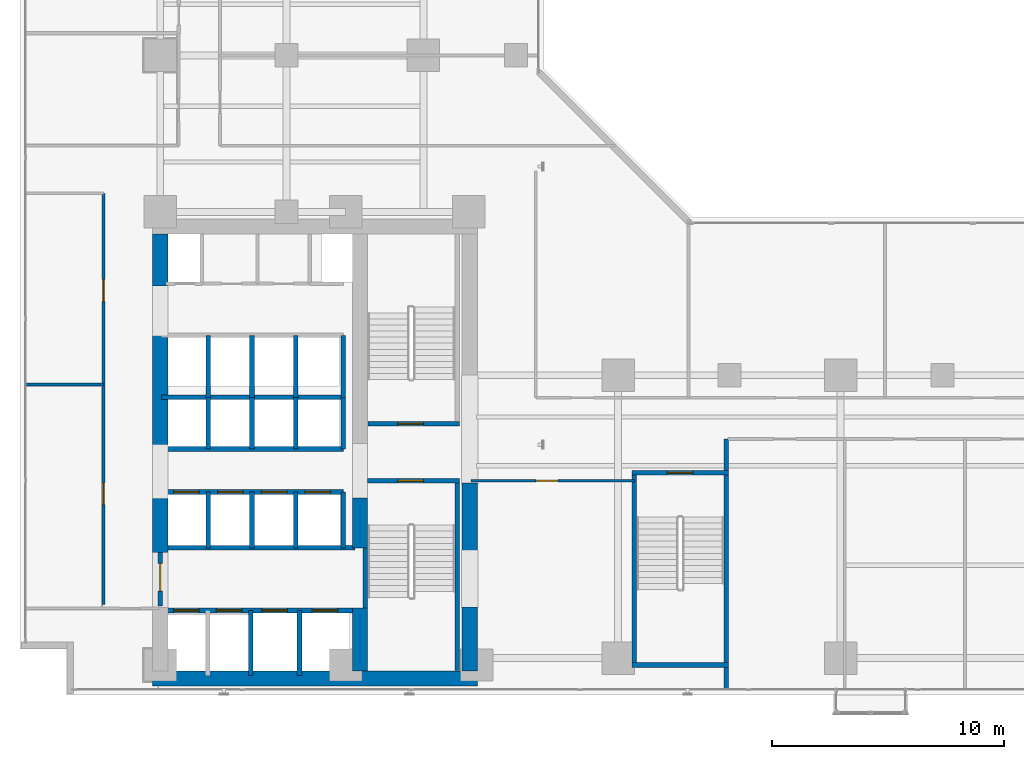
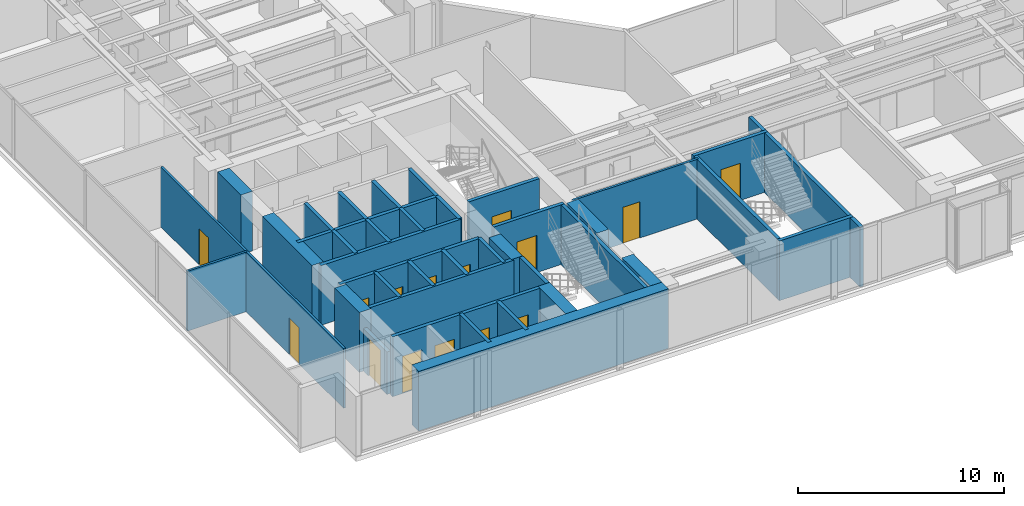
# One storey, part 20 of 28: 39 walls, 15 doors, 15 openings.
"""IFC4 building model written with IfcOpenShell, lengths in metres."""

from ifc_helpers import new_model, si_unit, direction, frame, frame_2d, origin, place, context, subcontext, project, spatial, rectangle, extrude, material, layer, layer_set, type_object, element, fill, save


model = new_model("IFC4")

# Units and contexts
model_context = context("Model", 3, precision=1e-05, world=origin(), true_north=direction((0.0, 1.0)))
body_context = subcontext(model_context, "Body", "Model", "MODEL_VIEW")
ifc_project = project(units=[si_unit("LENGTHUNIT", "METRE"), si_unit("AREAUNIT", "SQUARE_METRE"), si_unit("VOLUMEUNIT", "CUBIC_METRE"), si_unit("PLANEANGLEUNIT", "RADIAN"), si_unit("MASSUNIT", "GRAM", prefix="KILO")], contexts=[model_context])

# Site, building, storey
site_placement = place(None, origin())
site = spatial("IfcSite", under=ifc_project, at=site_placement, CompositionType="ELEMENT")
building_placement = place(site_placement, origin())
building = spatial("IfcBuilding", under=site, at=building_placement, Name="Kolvaren Waterfront Exchange", CompositionType="ELEMENT")
storey_placement = place(building_placement, frame((0.0, 0.0, 103.10009765625)))
storey = spatial("IfcBuildingStorey", under=building, at=storey_placement, Name="L26", CompositionType="ELEMENT", Elevation=103.10009765625)

# Wall, opening, door
ifc_material_1 = material(Name="Precast concrete C40/50", Category="concrete")
ifc_layer_1 = layer(ifc_material_1, 0.199951171875, Name="Precast concrete C40/50")
ifc_layer_set_1 = layer_set([ifc_layer_1], Name="Precast concrete C40/50")
wall_type_1 = type_object("IfcWallType", Name="ARC-FIRE-200", PredefinedType="PARTITIONING", material=ifc_layer_set_1)
wall_1_placement = place(storey_placement, frame((16.39990234375, 12.85009765625, 0.0), z_axis=(0.0, 0.0, 1.0), x_axis=(1.0, 0.0, 0.0)))
wall_1 = element("IfcWall", 1, at=wall_1_placement, inside=storey, type_object=wall_type_1, Name="L26 interior wall PW-L26-ST1-THROAT-S", PredefinedType="PARTITIONING", context=body_context, shape_type="SweptSolid", body=[
    extrude(rectangle(XDim=3.960205078125, YDim=0.199951171875, at=frame_2d((1.97998046875, 0.0))), origin(), (0.0, 0.0, 1.0), 3.539794921875),
])
opening_1_placement = place(wall_1_placement, frame((1.3037109375, 0.0, 0.0)))
opening_1 = element("IfcOpeningElement", 2, at=opening_1_placement, cuts=wall_1, Name="Opening FD2", PredefinedType="OPENING", context=body_context, shape_type="SweptSolid", body=[
    extrude(rectangle(XDim=1.10009765625, YDim=2.199951171875, at=frame_2d((0.550048828125, 1.10009765625))), frame((0.0, 0.10986328125, 0.0), z_axis=(0.0, -1.0, 0.0), x_axis=(1.0, 0.0, 0.0)), (0.0, 0.0, 1.0), 0.219970703125),
])
ifc_material_2 = material(Name="Pressed steel smoke-seal fire door", Category="steel")
door_type_1 = type_object("IfcDoorType", Name="ARC-FD-1100", OperationType="NOTDEFINED", PredefinedType="DOOR", material=ifc_material_2)
door_1_placement = place(opening_1_placement, frame((1.10009765625, 0.0, 0.0), z_axis=(0.0, 0.0, 1.0), x_axis=(-1.0, 0.0, 0.0)))
door_1 = element("IfcDoor", 3, at=door_1_placement, inside=storey, type_object=door_type_1, Name="L26 door DR-L26-ST1-IN (FD2)", OperationType="SINGLE_SWING_LEFT", OverallHeight=2.199951171875, OverallWidth=1.10009765625, PredefinedType="DOOR", context=body_context, shape_type="SweptSolid", body=[
    extrude(rectangle(XDim=1.10009765625, YDim=2.199951171875, at=frame_2d((0.550048828125, 1.10009765625))), frame((0.0, 0.02490234375, 0.0), z_axis=(0.0, -1.0, 0.0), x_axis=(1.0, 0.0, 0.0)), (0.0, 0.0, 1.0), 0.050048828125),
])
fill(opening_1, door_1)

wall_2_placement = place(storey_placement, frame((16.409912109375, 15.300048828125, 0.0), z_axis=(0.0, 0.0, 1.0), x_axis=(1.0, 0.0, 0.0)))
wall_2 = element("IfcWall", 4, at=wall_2_placement, inside=storey, type_object=wall_type_1, Name="L26 interior wall PW-L26-ST2-THROAT-N", PredefinedType="PARTITIONING", context=body_context, shape_type="SweptSolid", body=[
    extrude(rectangle(XDim=3.9501953125, YDim=0.199951171875, at=frame_2d((1.97509765625, 0.0))), origin(), (0.0, 0.0, 1.0), 3.539794921875),
])
opening_2_placement = place(wall_2_placement, frame((1.293701171875, 0.0, 0.0)))
opening_2 = element("IfcOpeningElement", 5, at=opening_2_placement, cuts=wall_2, Name="Opening FD2", PredefinedType="OPENING", context=body_context, shape_type="SweptSolid", body=[
    extrude(rectangle(XDim=1.10009765625, YDim=2.199951171875, at=frame_2d((0.550048828125, 1.10009765625))), frame((0.0, 0.10986328125, 0.0), z_axis=(0.0, -1.0, 0.0), x_axis=(1.0, 0.0, 0.0)), (0.0, 0.0, 1.0), 0.219970703125),
])
door_2_placement = place(opening_2_placement, origin())
door_2 = element("IfcDoor", 6, at=door_2_placement, inside=storey, type_object=door_type_1, Name="L26 door DR-L26-ST2-IN (FD2)", OperationType="SINGLE_SWING_RIGHT", OverallHeight=2.199951171875, OverallWidth=1.10009765625, PredefinedType="DOOR", context=body_context, shape_type="SweptSolid", body=[
    extrude(rectangle(XDim=1.10009765625, YDim=2.199951171875, at=frame_2d((0.550048828125, 1.10009765625))), frame((0.0, 0.02490234375, 0.0), z_axis=(0.0, -1.0, 0.0), x_axis=(1.0, 0.0, 0.0)), (0.0, 0.0, 1.0), 0.050048828125),
])
fill(opening_2, door_2)

# Wall
wall_3_placement = place(storey_placement, frame((7.5, 9.949951171875, 0.0), z_axis=(0.0, 0.0, 1.0), x_axis=(1.0, 0.0, 0.0)))
element("IfcWall", 7, at=wall_3_placement, inside=storey, type_object=wall_type_1, Name="L26 interior wall PW-L26-FF-N", PredefinedType="PARTITIONING", context=body_context, shape_type="SweptSolid", body=[
    extrude(rectangle(XDim=8.35009765625, YDim=0.199951171875, at=frame_2d((4.175048828125, 0.0))), origin(), (0.0, 0.0, 1.0), 3.539794921875),
])

# Wall, opening, door
wall_4_placement = place(storey_placement, frame((7.449951171875, 7.449951171875, 0.0), z_axis=(0.0, 0.0, 1.0), x_axis=(0.0, 1.0, 0.0)))
wall_4 = element("IfcWall", 8, at=wall_4_placement, inside=storey, type_object=wall_type_1, Name="L26 interior wall PW-L26-FF-W-DOOR", PredefinedType="PARTITIONING", context=body_context, shape_type="SweptSolid", body=[
    extrude(rectangle(XDim=2.300048828125, YDim=0.199951171875, at=frame_2d((1.14990234375, 0.0))), origin(), (0.0, 0.0, 1.0), 2.52001953125),
])
opening_3_placement = place(wall_4_placement, frame((0.63330078125, 0.0, 0.0)))
opening_3 = element("IfcOpeningElement", 9, at=opening_3_placement, cuts=wall_4, Name="Opening FD3", PredefinedType="OPENING", context=body_context, shape_type="SweptSolid", body=[
    extrude(rectangle(XDim=1.199951171875, YDim=2.25, at=frame_2d((0.60009765625, 1.125))), frame((0.0, 0.10986328125, 0.0), z_axis=(0.0, -1.0, 0.0), x_axis=(1.0, 0.0, 0.0)), (0.0, 0.0, 1.0), 0.219970703125),
])
ifc_material_3 = material(Name="Pressed steel fire door", Category="steel")
door_type_2 = type_object("IfcDoorType", Name="ARC-FD-1200", OperationType="NOTDEFINED", PredefinedType="DOOR", material=ifc_material_3)
door_3_placement = place(opening_3_placement, frame((1.199951171875, 0.0, 0.0), z_axis=(0.0, 0.0, 1.0), x_axis=(-1.0, 0.0, 0.0)))
door_3 = element("IfcDoor", 10, at=door_3_placement, inside=storey, type_object=door_type_2, Name="L26 door DR-L26-FF-OUT (FD3)", OperationType="SINGLE_SWING_RIGHT", OverallHeight=2.25, OverallWidth=1.199951171875, PredefinedType="DOOR", context=body_context, shape_type="SweptSolid", body=[
    extrude(rectangle(XDim=1.199951171875, YDim=2.25, at=frame_2d((0.60009765625, 1.125))), frame((0.0, 0.02490234375, 0.0), z_axis=(0.0, -1.0, 0.0), x_axis=(1.0, 0.0, 0.0)), (0.0, 0.0, 1.0), 0.050048828125),
])
fill(opening_3, door_3)

# Wall, openings, doors
ifc_material_4 = material(Name="Acoustic gypsum steel stud", Category="steel")
ifc_layer_2 = layer(ifc_material_4, 0.125, Name="Acoustic gypsum steel stud")
ifc_layer_set_2 = layer_set([ifc_layer_2], Name="Acoustic gypsum steel stud")
wall_type_2 = type_object("IfcWallType", Name="ARC-PART-125", PredefinedType="PARTITIONING", material=ifc_layer_set_2)
wall_5_placement = place(storey_placement, frame((5.0, 7.5, 0.0), z_axis=(0.0, 0.0, 1.0), x_axis=(0.0, 1.0, 0.0)))
wall_5 = element("IfcWall", 11, at=wall_5_placement, inside=storey, type_object=wall_type_2, Name="L26 interior wall PW-L26-WFLANK-E", PredefinedType="PARTITIONING", context=body_context, shape_type="SweptSolid", body=[
    extrude(rectangle(XDim=17.75, YDim=0.125, at=frame_2d((8.875, 0.0))), origin(), (0.0, 0.0, 1.0), 3.539794921875),
])
opening_4_placement = place(wall_5_placement, frame((4.320068359375, 0.0, 0.0)))
opening_4 = element("IfcOpeningElement", 12, at=opening_4_placement, cuts=wall_5, Name="Opening D02", PredefinedType="OPENING", context=body_context, shape_type="SweptSolid", body=[
    extrude(rectangle(XDim=0.949951171875, YDim=2.14990234375, at=frame_2d((0.47509765625, 1.074951171875))), frame((0.0, 0.072509765625, 0.0), z_axis=(0.0, -1.0, 0.0), x_axis=(1.0, 0.0, 0.0)), (0.0, 0.0, 1.0), 0.14501953125),
])
opening_5_placement = place(wall_5_placement, frame((13.078857421875, 0.0, 0.0)))
opening_5 = element("IfcOpeningElement", 13, at=opening_5_placement, cuts=wall_5, Name="Opening D02", PredefinedType="OPENING", context=body_context, shape_type="SweptSolid", body=[
    extrude(rectangle(XDim=0.949951171875, YDim=2.14990234375, at=frame_2d((0.47509765625, 1.074951171875))), frame((0.0, 0.072509765625, 0.0), z_axis=(0.0, -1.0, 0.0), x_axis=(1.0, 0.0, 0.0)), (0.0, 0.0, 1.0), 0.14501953125),
])
ifc_material_5 = material(Name="Oak veneer acoustic timber", Category="wood")
door_type_3 = type_object("IfcDoorType", Name="ARC-DR-950", OperationType="NOTDEFINED", PredefinedType="DOOR", material=ifc_material_5)
door_4_placement = place(opening_4_placement, origin())
door_4 = element("IfcDoor", 14, at=door_4_placement, inside=storey, type_object=door_type_3, Name="L26 door DR-L26-WFL1-D (D02)", OperationType="SINGLE_SWING_LEFT", OverallHeight=2.14990234375, OverallWidth=0.949951171875, PredefinedType="DOOR", context=body_context, shape_type="SweptSolid", body=[
    extrude(rectangle(XDim=0.949951171875, YDim=2.14990234375, at=frame_2d((0.47509765625, 1.074951171875))), frame((0.0, 0.02490234375, 0.0), z_axis=(0.0, -1.0, 0.0), x_axis=(1.0, 0.0, 0.0)), (0.0, 0.0, 1.0), 0.050048828125),
])
fill(opening_4, door_4)
door_5_placement = place(opening_5_placement, origin())
door_5 = element("IfcDoor", 15, at=door_5_placement, inside=storey, type_object=door_type_3, Name="L26 door DR-L26-WFL2-D (D02)", OperationType="SINGLE_SWING_RIGHT", OverallHeight=2.14990234375, OverallWidth=0.949951171875, PredefinedType="DOOR", context=body_context, shape_type="SweptSolid", body=[
    extrude(rectangle(XDim=0.949951171875, YDim=2.14990234375, at=frame_2d((0.47509765625, 1.074951171875))), frame((0.0, 0.02490234375, 0.0), z_axis=(0.0, -1.0, 0.0), x_axis=(1.0, 0.0, 0.0)), (0.0, 0.0, 1.0), 0.050048828125),
])
fill(opening_5, door_5)

# Wall
wall_6_placement = place(storey_placement, frame((1.639892578125, 17.0, 0.0), z_axis=(0.0, 0.0, 1.0), x_axis=(1.0, 0.0, 0.0)))
element("IfcWall", 16, at=wall_6_placement, inside=storey, type_object=wall_type_2, Name="L26 interior wall PW-L26-WFLANK-MID", PredefinedType="PARTITIONING", context=body_context, shape_type="SweptSolid", body=[
    extrude(rectangle(XDim=3.360107421875, YDim=0.125, at=frame_2d((1.68017578125, 0.0))), origin(), (0.0, 0.0, 1.0), 3.539794921875),
])

# Wall, opening, door
wall_7_placement = place(storey_placement, frame((20.85009765625, 12.85009765625, 0.0), z_axis=(0.0, 0.0, 1.0), x_axis=(1.0, 0.0, 0.0)))
wall_7 = element("IfcWall", 17, at=wall_7_placement, inside=storey, type_object=wall_type_2, Name="L26 interior wall PW-L26-SWST3-N", PredefinedType="PARTITIONING", context=body_context, shape_type="SweptSolid", body=[
    extrude(rectangle(XDim=7.0498046875, YDim=0.125, at=frame_2d((3.52490234375, 0.0))), origin(), (0.0, 0.0, 1.0), 3.539794921875),
])
opening_6_placement = place(wall_7_placement, frame((2.800048828125, 0.0, 0.0)))
opening_6 = element("IfcOpeningElement", 18, at=opening_6_placement, cuts=wall_7, Name="Opening D02", PredefinedType="OPENING", context=body_context, shape_type="SweptSolid", body=[
    extrude(rectangle(XDim=0.949951171875, YDim=2.14990234375, at=frame_2d((0.47509765625, 1.074951171875))), frame((0.0, 0.072509765625, 0.0), z_axis=(0.0, -1.0, 0.0), x_axis=(1.0, 0.0, 0.0)), (0.0, 0.0, 1.0), 0.14501953125),
])
door_6_placement = place(opening_6_placement, origin())
door_6 = element("IfcDoor", 19, at=door_6_placement, inside=storey, type_object=door_type_3, Name="L26 door DR-L26-SWST3-D (D02)", OperationType="SINGLE_SWING_LEFT", OverallHeight=2.14990234375, OverallWidth=0.949951171875, PredefinedType="DOOR", context=body_context, shape_type="SweptSolid", body=[
    extrude(rectangle(XDim=0.949951171875, YDim=2.14990234375, at=frame_2d((0.47509765625, 1.074951171875))), frame((0.0, 0.02490234375, 0.0), z_axis=(0.0, -1.0, 0.0), x_axis=(1.0, 0.0, 0.0)), (0.0, 0.0, 1.0), 0.050048828125),
])
fill(opening_6, door_6)

# Walls
ifc_material_6 = material(Name="Concrete C40/50", Category="concrete")
ifc_layer_3 = layer(ifc_material_6, 0.199951171875, Name="Concrete C40/50")
ifc_layer_set_3 = layer_set([ifc_layer_3], Name="Concrete C40/50")
wall_type_3 = type_object("IfcWallType", Name="ARC-SHAFT-200", PredefinedType="PARTITIONING", material=ifc_layer_set_3)
wall_8_placement = place(storey_placement, frame((16.300048828125, 7.360107421875, 0.0), z_axis=(0.0, 0.0, 1.0), x_axis=(0.0, 1.0, 0.0)))
element("IfcWall", 20, at=wall_8_placement, inside=storey, type_object=wall_type_3, Name="L26 structural stairwell wall PW-L26-ST1-W", PredefinedType="SHEAR", context=body_context, shape_type="SweptSolid", body=[
    extrude(rectangle(XDim=2.579833984375, YDim=0.199951171875, at=frame_2d((1.2900390625, 0.0))), origin(), (0.0, 0.0, 1.0), 3.539794921875),
])
wall_9_placement = place(storey_placement, frame((20.260009765625, 4.659912109375, 0.0), z_axis=(0.0, 0.0, 1.0), x_axis=(0.0, 1.0, 0.0)))
element("IfcWall", 21, at=wall_9_placement, inside=storey, type_object=wall_type_3, Name="L26 structural stairwell wall PW-L26-ST1-E", PredefinedType="SHEAR", context=body_context, shape_type="SweptSolid", body=[
    extrude(rectangle(XDim=8.090087890625, YDim=0.199951171875, at=frame_2d((4.044921875, 0.0))), origin(), (0.0, 0.0, 1.0), 3.539794921875),
])
wall_10_placement = place(storey_placement, frame((27.89990234375, 5.0, 0.0), z_axis=(0.0, 0.0, 1.0), x_axis=(0.0, 1.0, 0.0)))
element("IfcWall", 22, at=wall_10_placement, inside=storey, type_object=wall_type_3, Name="L26 structural stairwell wall PW-L26-ST3-W", PredefinedType="SHEAR", context=body_context, shape_type="SweptSolid", body=[
    extrude(rectangle(XDim=8.10009765625, YDim=0.199951171875, at=frame_2d((4.050048828125, 0.0))), origin(), (0.0, 0.0, 1.0), 3.539794921875),
])
wall_11_placement = place(storey_placement, frame((31.860107421875, 3.840087890625, 0.0), z_axis=(0.0, 0.0, 1.0), x_axis=(0.0, 1.0, 0.0)))
element("IfcWall", 23, at=wall_11_placement, inside=storey, type_object=wall_type_3, Name="L26 structural stairwell wall PW-L26-ST3-E", PredefinedType="SHEAR", context=body_context, shape_type="SweptSolid", body=[
    extrude(rectangle(XDim=10.809814453125, YDim=0.199951171875, at=frame_2d((5.40478515625, 0.0))), origin(), (0.0, 0.0, 1.0), 3.539794921875),
])
wall_12_placement = place(storey_placement, frame((27.800048828125, 4.89990234375, 0.0), z_axis=(0.0, 0.0, 1.0), x_axis=(1.0, 0.0, 0.0)))
element("IfcWall", 24, at=wall_12_placement, inside=storey, type_object=wall_type_3, Name="L26 structural stairwell wall PW-L26-ST3-S", PredefinedType="SHEAR", context=body_context, shape_type="SweptSolid", body=[
    extrude(rectangle(XDim=4.159912109375, YDim=0.199951171875, at=frame_2d((2.080078125, 0.0))), origin(), (0.0, 0.0, 1.0), 3.539794921875),
])

# Wall, opening, door
wall_13_placement = place(storey_placement, frame((27.800048828125, 13.199951171875, 0.0), z_axis=(0.0, 0.0, 1.0), x_axis=(1.0, 0.0, 0.0)))
wall_13 = element("IfcWall", 25, at=wall_13_placement, inside=storey, type_object=wall_type_3, Name="L26 structural stairwell wall PW-L26-ST3-N", PredefinedType="SHEAR", context=body_context, shape_type="SweptSolid", body=[
    extrude(rectangle(XDim=4.159912109375, YDim=0.199951171875, at=frame_2d((2.080078125, 0.0))), origin(), (0.0, 0.0, 1.0), 3.539794921875),
])
opening_7_placement = place(wall_13_placement, frame((1.530029296875, 0.0, 0.0)))
opening_7 = element("IfcOpeningElement", 26, at=opening_7_placement, cuts=wall_13, Name="Opening FD2", PredefinedType="OPENING", context=body_context, shape_type="SweptSolid", body=[
    extrude(rectangle(XDim=1.10009765625, YDim=2.199951171875, at=frame_2d((0.550048828125, 1.10009765625))), frame((0.0, 0.10986328125, 0.0), z_axis=(0.0, -1.0, 0.0), x_axis=(1.0, 0.0, 0.0)), (0.0, 0.0, 1.0), 0.219970703125),
])
door_7_placement = place(opening_7_placement, frame((1.10009765625, 0.0, 0.0), z_axis=(0.0, 0.0, 1.0), x_axis=(-1.0, 0.0, 0.0)))
door_7 = element("IfcDoor", 27, at=door_7_placement, inside=storey, type_object=door_type_1, Name="L26 door DR-L26-ST3-IN (FD2)", OperationType="SINGLE_SWING_LEFT", OverallHeight=2.199951171875, OverallWidth=1.10009765625, PredefinedType="DOOR", context=body_context, shape_type="SweptSolid", body=[
    extrude(rectangle(XDim=1.10009765625, YDim=2.199951171875, at=frame_2d((0.550048828125, 1.10009765625))), frame((0.0, 0.02490234375, 0.0), z_axis=(0.0, -1.0, 0.0), x_axis=(1.0, 0.0, 0.0)), (0.0, 0.0, 1.0), 0.050048828125),
])
fill(opening_7, door_7)

# Wall, openings, doors
wall_14_placement = place(storey_placement, frame((7.5, 7.25, 0.0), z_axis=(0.0, 0.0, 1.0), x_axis=(1.0, 0.0, 0.0)))
wall_14 = element("IfcWall", 28, at=wall_14_placement, inside=storey, type_object=wall_type_3, Name="L26 interior wall PW-L26-FF-S", PredefinedType="PARTITIONING", context=body_context, shape_type="SweptSolid", body=[
    extrude(rectangle(XDim=8.35009765625, YDim=0.199951171875, at=frame_2d((4.175048828125, 0.0))), origin(), (0.0, 0.0, 1.0), 3.539794921875),
])
opening_8_placement = place(wall_14_placement, frame((0.530029296875, 0.0, 0.0)))
opening_8 = element("IfcOpeningElement", 29, at=opening_8_placement, cuts=wall_14, Name="Opening LD1", PredefinedType="OPENING", context=body_context, shape_type="SweptSolid", body=[
    extrude(rectangle(XDim=1.10009765625, YDim=2.199951171875, at=frame_2d((0.550048828125, 1.10009765625))), frame((0.0, 0.10986328125, 0.0), z_axis=(0.0, -1.0, 0.0), x_axis=(1.0, 0.0, 0.0)), (0.0, 0.0, 1.0), 0.219970703125),
])
opening_9_placement = place(wall_14_placement, frame((2.3701171875, 0.0, 0.0)))
opening_9 = element("IfcOpeningElement", 30, at=opening_9_placement, cuts=wall_14, Name="Opening LD1", PredefinedType="OPENING", context=body_context, shape_type="SweptSolid", body=[
    extrude(rectangle(XDim=1.10009765625, YDim=2.199951171875, at=frame_2d((0.550048828125, 1.10009765625))), frame((0.0, 0.10986328125, 0.0), z_axis=(0.0, -1.0, 0.0), x_axis=(1.0, 0.0, 0.0)), (0.0, 0.0, 1.0), 0.219970703125),
])
opening_10_placement = place(wall_14_placement, frame((4.330078125, 0.0, 0.0)))
opening_10 = element("IfcOpeningElement", 31, at=opening_10_placement, cuts=wall_14, Name="Opening LD1", PredefinedType="OPENING", context=body_context, shape_type="SweptSolid", body=[
    extrude(rectangle(XDim=1.10009765625, YDim=2.199951171875, at=frame_2d((0.550048828125, 1.10009765625))), frame((0.0, 0.10986328125, 0.0), z_axis=(0.0, -1.0, 0.0), x_axis=(1.0, 0.0, 0.0)), (0.0, 0.0, 1.0), 0.219970703125),
])
opening_11_placement = place(wall_14_placement, frame((6.5, 0.0, 0.0)))
opening_11 = element("IfcOpeningElement", 32, at=opening_11_placement, cuts=wall_14, Name="Opening LD1", PredefinedType="OPENING", context=body_context, shape_type="SweptSolid", body=[
    extrude(rectangle(XDim=1.10009765625, YDim=2.199951171875, at=frame_2d((0.550048828125, 1.10009765625))), frame((0.0, 0.10986328125, 0.0), z_axis=(0.0, -1.0, 0.0), x_axis=(1.0, 0.0, 0.0)), (0.0, 0.0, 1.0), 0.219970703125),
])
ifc_material_7 = material(Name="Stainless steel sliding landing door", Category="steel")
door_type_4 = type_object("IfcDoorType", Name="ARC-LD-FF", OperationType="SLIDING_TO_LEFT", PredefinedType="DOOR", material=ifc_material_7)
door_8_placement = place(opening_8_placement, origin())
door_8 = element("IfcDoor", 33, at=door_8_placement, inside=storey, type_object=door_type_4, Name="L26 door LD-L26-FFL1 (LD1)", OperationType="SLIDING_TO_LEFT", OverallHeight=2.199951171875, OverallWidth=1.10009765625, PredefinedType="DOOR", context=body_context, shape_type="SweptSolid", body=[
    extrude(rectangle(XDim=1.10009765625, YDim=2.199951171875, at=frame_2d((0.550048828125, 1.10009765625))), frame((0.0, 0.02490234375, 0.0), z_axis=(0.0, -1.0, 0.0), x_axis=(1.0, 0.0, 0.0)), (0.0, 0.0, 1.0), 0.050048828125),
])
fill(opening_8, door_8)
door_9_placement = place(opening_9_placement, origin())
door_9 = element("IfcDoor", 34, at=door_9_placement, inside=storey, type_object=door_type_4, Name="L26 door LD-L26-FFL2 (LD1)", OperationType="SLIDING_TO_LEFT", OverallHeight=2.199951171875, OverallWidth=1.10009765625, PredefinedType="DOOR", context=body_context, shape_type="SweptSolid", body=[
    extrude(rectangle(XDim=1.10009765625, YDim=2.199951171875, at=frame_2d((0.550048828125, 1.10009765625))), frame((0.0, 0.02490234375, 0.0), z_axis=(0.0, -1.0, 0.0), x_axis=(1.0, 0.0, 0.0)), (0.0, 0.0, 1.0), 0.050048828125),
])
fill(opening_9, door_9)
door_10_placement = place(opening_10_placement, origin())
door_10 = element("IfcDoor", 35, at=door_10_placement, inside=storey, type_object=door_type_4, Name="L26 door LD-L26-GL1 (LD1)", OperationType="SLIDING_TO_LEFT", OverallHeight=2.199951171875, OverallWidth=1.10009765625, PredefinedType="DOOR", context=body_context, shape_type="SweptSolid", body=[
    extrude(rectangle(XDim=1.10009765625, YDim=2.199951171875, at=frame_2d((0.550048828125, 1.10009765625))), frame((0.0, 0.02490234375, 0.0), z_axis=(0.0, -1.0, 0.0), x_axis=(1.0, 0.0, 0.0)), (0.0, 0.0, 1.0), 0.050048828125),
])
fill(opening_10, door_10)
door_11_placement = place(opening_11_placement, origin())
door_11 = element("IfcDoor", 36, at=door_11_placement, inside=storey, type_object=door_type_4, Name="L26 door LD-L26-GL2 (LD1)", OperationType="SLIDING_TO_LEFT", OverallHeight=2.199951171875, OverallWidth=1.10009765625, PredefinedType="DOOR", context=body_context, shape_type="SweptSolid", body=[
    extrude(rectangle(XDim=1.10009765625, YDim=2.199951171875, at=frame_2d((0.550048828125, 1.10009765625))), frame((0.0, 0.02490234375, 0.0), z_axis=(0.0, -1.0, 0.0), x_axis=(1.0, 0.0, 0.0)), (0.0, 0.0, 1.0), 0.050048828125),
])
fill(opening_11, door_11)

# Walls
for number, where, z_axis, x_axis, name in (
    (37, (11.360107421875, 4.449951171875, 0.0), (0.0, 0.0, 1.0), (0.0, 1.0, 0.0), "L26 interior wall PW-L26-SH1-DIV-113"),
    (38, (13.4599609375, 4.449951171875, 0.0), (0.0, 0.0, 1.0), (0.0, 1.0, 0.0), "L26 interior wall PW-L26-SH1-DIV-134"),
):
    element("IfcWall", number, at=place(storey_placement, frame(where, z_axis=z_axis, x_axis=x_axis)), inside=storey, type_object=wall_type_3, Name=name, PredefinedType="PARTITIONING", context=body_context, shape_type="SweptSolid", body=[
        extrude(rectangle(XDim=2.800048828125, YDim=0.199951171875, at=frame_2d((1.39990234375, 0.0))), origin(), (0.0, 0.0, 1.0), 3.539794921875),
    ])

# Wall, openings, doors
wall_15_placement = place(storey_placement, frame((7.5, 12.360107421875, 0.0), z_axis=(0.0, 0.0, 1.0), x_axis=(1.0, 0.0, 0.0)))
wall_15 = element("IfcWall", 39, at=wall_15_placement, inside=storey, type_object=wall_type_3, Name="L26 interior wall PW-L26-PL-N", PredefinedType="PARTITIONING", context=body_context, shape_type="SweptSolid", body=[
    extrude(rectangle(XDim=7.85009765625, YDim=0.199951171875, at=frame_2d((3.925048828125, 0.0))), origin(), (0.0, 0.0, 1.0), 3.539794921875),
])
opening_12_placement = place(wall_15_placement, frame((0.530029296875, 0.0, 0.0)))
opening_12 = element("IfcOpeningElement", 40, at=opening_12_placement, cuts=wall_15, Name="Opening LD2", PredefinedType="OPENING", context=body_context, shape_type="SweptSolid", body=[
    extrude(rectangle(XDim=1.10009765625, YDim=2.199951171875, at=frame_2d((0.550048828125, 1.10009765625))), frame((0.0, 0.10986328125, 0.0), z_axis=(0.0, -1.0, 0.0), x_axis=(1.0, 0.0, 0.0)), (0.0, 0.0, 1.0), 0.219970703125),
])
opening_13_placement = place(wall_15_placement, frame((2.419921875, 0.0, 0.0)))
opening_13 = element("IfcOpeningElement", 41, at=opening_13_placement, cuts=wall_15, Name="Opening LD2", PredefinedType="OPENING", context=body_context, shape_type="SweptSolid", body=[
    extrude(rectangle(XDim=1.10009765625, YDim=2.199951171875, at=frame_2d((0.550048828125, 1.10009765625))), frame((0.0, 0.10986328125, 0.0), z_axis=(0.0, -1.0, 0.0), x_axis=(1.0, 0.0, 0.0)), (0.0, 0.0, 1.0), 0.219970703125),
])
opening_14_placement = place(wall_15_placement, frame((4.31005859375, 0.0, 0.0)))
opening_14 = element("IfcOpeningElement", 42, at=opening_14_placement, cuts=wall_15, Name="Opening LD2", PredefinedType="OPENING", context=body_context, shape_type="SweptSolid", body=[
    extrude(rectangle(XDim=1.10009765625, YDim=2.199951171875, at=frame_2d((0.550048828125, 1.10009765625))), frame((0.0, 0.10986328125, 0.0), z_axis=(0.0, -1.0, 0.0), x_axis=(1.0, 0.0, 0.0)), (0.0, 0.0, 1.0), 0.219970703125),
])
opening_15_placement = place(wall_15_placement, frame((6.199951171875, 0.0, 0.0)))
opening_15 = element("IfcOpeningElement", 43, at=opening_15_placement, cuts=wall_15, Name="Opening LD2", PredefinedType="OPENING", context=body_context, shape_type="SweptSolid", body=[
    extrude(rectangle(XDim=1.10009765625, YDim=2.199951171875, at=frame_2d((0.550048828125, 1.10009765625))), frame((0.0, 0.10986328125, 0.0), z_axis=(0.0, -1.0, 0.0), x_axis=(1.0, 0.0, 0.0)), (0.0, 0.0, 1.0), 0.219970703125),
])
ifc_material_8 = material(Name="Brushed bronze sliding landing door", Category="aluminium")
door_type_5 = type_object("IfcDoorType", Name="ARC-LD-PAX", OperationType="SLIDING_TO_LEFT", PredefinedType="DOOR", material=ifc_material_8)
door_12_placement = place(opening_12_placement, origin())
door_12 = element("IfcDoor", 44, at=door_12_placement, inside=storey, type_object=door_type_5, Name="L26 door LD-L26-PL1 (LD2)", OperationType="SLIDING_TO_LEFT", OverallHeight=2.199951171875, OverallWidth=1.10009765625, PredefinedType="DOOR", context=body_context, shape_type="SweptSolid", body=[
    extrude(rectangle(XDim=1.10009765625, YDim=2.199951171875, at=frame_2d((0.550048828125, 1.10009765625))), frame((0.0, 0.02490234375, 0.0), z_axis=(0.0, -1.0, 0.0), x_axis=(1.0, 0.0, 0.0)), (0.0, 0.0, 1.0), 0.050048828125),
])
fill(opening_12, door_12)
door_13_placement = place(opening_13_placement, origin())
door_13 = element("IfcDoor", 45, at=door_13_placement, inside=storey, type_object=door_type_5, Name="L26 door LD-L26-PL2 (LD2)", OperationType="SLIDING_TO_LEFT", OverallHeight=2.199951171875, OverallWidth=1.10009765625, PredefinedType="DOOR", context=body_context, shape_type="SweptSolid", body=[
    extrude(rectangle(XDim=1.10009765625, YDim=2.199951171875, at=frame_2d((0.550048828125, 1.10009765625))), frame((0.0, 0.02490234375, 0.0), z_axis=(0.0, -1.0, 0.0), x_axis=(1.0, 0.0, 0.0)), (0.0, 0.0, 1.0), 0.050048828125),
])
fill(opening_13, door_13)
door_14_placement = place(opening_14_placement, origin())
door_14 = element("IfcDoor", 46, at=door_14_placement, inside=storey, type_object=door_type_5, Name="L26 door LD-L26-PL3 (LD2)", OperationType="SLIDING_TO_LEFT", OverallHeight=2.199951171875, OverallWidth=1.10009765625, PredefinedType="DOOR", context=body_context, shape_type="SweptSolid", body=[
    extrude(rectangle(XDim=1.10009765625, YDim=2.199951171875, at=frame_2d((0.550048828125, 1.10009765625))), frame((0.0, 0.02490234375, 0.0), z_axis=(0.0, -1.0, 0.0), x_axis=(1.0, 0.0, 0.0)), (0.0, 0.0, 1.0), 0.050048828125),
])
fill(opening_14, door_14)
door_15_placement = place(opening_15_placement, origin())
door_15 = element("IfcDoor", 47, at=door_15_placement, inside=storey, type_object=door_type_5, Name="L26 door LD-L26-PL4 (LD2)", OperationType="SLIDING_TO_LEFT", OverallHeight=2.199951171875, OverallWidth=1.10009765625, PredefinedType="DOOR", context=body_context, shape_type="SweptSolid", body=[
    extrude(rectangle(XDim=1.10009765625, YDim=2.199951171875, at=frame_2d((0.550048828125, 1.10009765625))), frame((0.0, 0.02490234375, 0.0), z_axis=(0.0, -1.0, 0.0), x_axis=(1.0, 0.0, 0.0)), (0.0, 0.0, 1.0), 0.050048828125),
])
fill(opening_15, door_15)

# Walls
for number, where, z_axis, x_axis, name in (
    (48, (15.35009765625, 9.949951171875, 0.0), (0.0, 0.0, 1.0), (0.0, 1.0, 0.0), "L26 interior wall PW-L26-PL-E"),
    (49, (9.52001953125, 9.949951171875, 0.0), (0.0, 0.0, 1.0), (0.0, 1.0, 0.0), "L26 interior wall PW-L26-SH2-DIV-95"),
    (50, (11.409912109375, 9.949951171875, 0.0), (0.0, 0.0, 1.0), (0.0, 1.0, 0.0), "L26 interior wall PW-L26-SH2-DIV-114"),
    (51, (13.300048828125, 9.949951171875, 0.0), (0.0, 0.0, 1.0), (0.0, 1.0, 0.0), "L26 interior wall PW-L26-SH2-DIV-133"),
):
    element("IfcWall", number, at=place(storey_placement, frame(where, z_axis=z_axis, x_axis=x_axis)), inside=storey, type_object=wall_type_3, Name=name, PredefinedType="PARTITIONING", context=body_context, shape_type="SweptSolid", body=[
        extrude(rectangle(XDim=2.41015625, YDim=0.199951171875, at=frame_2d((1.205078125, 0.0))), origin(), (0.0, 0.0, 1.0), 3.539794921875),
    ])
for number, where, z_axis, x_axis, name in (
    (52, (7.5, 14.219970703125, 0.0), (0.0, 0.0, 1.0), (1.0, 0.0, 0.0), "L26 interior wall PW-L26-PM-S"),
    (53, (7.5, 16.449951171875, 0.0), (0.0, 0.0, 1.0), (1.0, 0.0, 0.0), "L26 interior wall PW-L26-PM-N"),
):
    element("IfcWall", number, at=place(storey_placement, frame(where, z_axis=z_axis, x_axis=x_axis)), inside=storey, type_object=wall_type_3, Name=name, PredefinedType="PARTITIONING", context=body_context, shape_type="SweptSolid", body=[
        extrude(rectangle(XDim=7.85009765625, YDim=0.199951171875, at=frame_2d((3.925048828125, 0.0))), origin(), (0.0, 0.0, 1.0), 3.539794921875),
    ])
for number, where, z_axis, x_axis, name in (
    (54, (15.35009765625, 14.219970703125, 0.0), (0.0, 0.0, 1.0), (0.0, 1.0, 0.0), "L26 interior wall PW-L26-PM-E"),
    (55, (9.52001953125, 14.219970703125, 0.0), (0.0, 0.0, 1.0), (0.0, 1.0, 0.0), "L26 interior wall PW-L26-SH3-DIV-95"),
    (56, (11.409912109375, 14.219970703125, 0.0), (0.0, 0.0, 1.0), (0.0, 1.0, 0.0), "L26 interior wall PW-L26-SH3-DIV-114"),
    (57, (13.300048828125, 14.219970703125, 0.0), (0.0, 0.0, 1.0), (0.0, 1.0, 0.0), "L26 interior wall PW-L26-SH3-DIV-133"),
):
    element("IfcWall", number, at=place(storey_placement, frame(where, z_axis=z_axis, x_axis=x_axis)), inside=storey, type_object=wall_type_3, Name=name, PredefinedType="PARTITIONING", context=body_context, shape_type="SweptSolid", body=[
        extrude(rectangle(XDim=2.22998046875, YDim=0.199951171875, at=frame_2d((1.114990234375, 0.0))), origin(), (0.0, 0.0, 1.0), 3.539794921875),
    ])
for number, where, z_axis, x_axis, name in (
    (58, (15.35009765625, 16.449951171875, 0.0), (0.0, 0.0, 1.0), (0.0, 1.0, 0.0), "L26 interior wall PW-L26-PH-E"),
    (59, (9.52001953125, 16.449951171875, 0.0), (0.0, 0.0, 1.0), (0.0, 1.0, 0.0), "L26 interior wall PW-L26-SH4-DIV-95"),
    (60, (11.409912109375, 16.449951171875, 0.0), (0.0, 0.0, 1.0), (0.0, 1.0, 0.0), "L26 interior wall PW-L26-SH4-DIV-114"),
    (61, (13.300048828125, 16.449951171875, 0.0), (0.0, 0.0, 1.0), (0.0, 1.0, 0.0), "L26 interior wall PW-L26-SH4-DIV-133"),
):
    element("IfcWall", number, at=place(storey_placement, frame(where, z_axis=z_axis, x_axis=x_axis)), inside=storey, type_object=wall_type_3, Name=name, PredefinedType="PARTITIONING", context=body_context, shape_type="SweptSolid", body=[
        extrude(rectangle(XDim=2.670166015625, YDim=0.199951171875, at=frame_2d((1.3349609375, 0.0))), origin(), (0.0, 0.0, 1.0), 3.539794921875),
    ])
ifc_material_9 = material(Name="Concrete C60/75", Category="concrete")
ifc_layer_4 = layer(ifc_material_9, 0.64990234375, Name="Concrete C60/75")
ifc_layer_set_4 = layer_set([ifc_layer_4], Name="Concrete C60/75")
wall_type_4 = type_object("IfcWallType", Name="STR-CWALL-650", PredefinedType="SHEAR", material=ifc_layer_set_4)
wall_16_placement = place(storey_placement, frame((7.125, 4.324951171875, 0.0), z_axis=(0.0, 0.0, 1.0), x_axis=(1.0, 0.0, 0.0)))
element("IfcWall", 62, at=wall_16_placement, inside=storey, type_object=wall_type_4, Name="L26 rear-core shear wall S", PredefinedType="SHEAR", context=body_context, shape_type="SweptSolid", body=[
    extrude(rectangle(XDim=14.0, YDim=0.64990234375, at=frame_2d((7.0, 0.0))), origin(), (0.0, 0.0, 1.0), 3.539794921875),
])
wall_17_placement = place(storey_placement, frame((7.449951171875, 9.75, 0.0), z_axis=(0.0, 0.0, 1.0), x_axis=(0.0, 1.0, 0.0)))
element("IfcWall", 63, at=wall_17_placement, inside=storey, type_object=wall_type_4, Name="L26 rear-core shear wall W2A", PredefinedType="SHEAR", context=body_context, shape_type="SweptSolid", body=[
    extrude(rectangle(XDim=2.39990234375, YDim=0.64990234375, at=frame_2d((1.199951171875, 0.0))), origin(), (0.0, 0.0, 1.0), 3.539794921875),
])
wall_18_placement = place(storey_placement, frame((7.449951171875, 14.35009765625, 0.0), z_axis=(0.0, 0.0, 1.0), x_axis=(0.0, 1.0, 0.0)))
element("IfcWall", 64, at=wall_18_placement, inside=storey, type_object=wall_type_4, Name="L26 rear-core shear wall W2B", PredefinedType="SHEAR", context=body_context, shape_type="SweptSolid", body=[
    extrude(rectangle(XDim=4.809814453125, YDim=0.64990234375, at=frame_2d((2.40478515625, 0.0))), origin(), (0.0, 0.0, 1.0), 3.539794921875),
])
wall_19_placement = place(storey_placement, frame((7.449951171875, 21.239990234375, 0.0), z_axis=(0.0, 0.0, 1.0), x_axis=(0.0, 1.0, 0.0)))
element("IfcWall", 65, at=wall_19_placement, inside=storey, type_object=wall_type_4, Name="L26 rear-core shear wall W3", PredefinedType="SHEAR", context=body_context, shape_type="SweptSolid", body=[
    extrude(rectangle(XDim=2.260009765625, YDim=0.64990234375, at=frame_2d((1.1298828125, 0.0))), origin(), (0.0, 0.0, 1.0), 3.539794921875),
])
wall_20_placement = place(storey_placement, frame((20.800048828125, 4.64990234375, 0.0), z_axis=(0.0, 0.0, 1.0), x_axis=(0.0, 1.0, 0.0)))
element("IfcWall", 66, at=wall_20_placement, inside=storey, type_object=wall_type_4, Name="L26 rear-core shear wall E1", PredefinedType="SHEAR", context=body_context, shape_type="SweptSolid", body=[
    extrude(rectangle(XDim=2.75, YDim=0.64990234375, at=frame_2d((1.375, 0.0))), origin(), (0.0, 0.0, 1.0), 3.539794921875),
])
wall_21_placement = place(storey_placement, frame((20.800048828125, 9.800048828125, 0.0), z_axis=(0.0, 0.0, 1.0), x_axis=(0.0, 1.0, 0.0)))
element("IfcWall", 67, at=wall_21_placement, inside=storey, type_object=wall_type_4, Name="L26 rear-core shear wall E2", PredefinedType="SHEAR", context=body_context, shape_type="SweptSolid", body=[
    extrude(rectangle(XDim=2.949951171875, YDim=0.64990234375, at=frame_2d((1.47509765625, 0.0))), origin(), (0.0, 0.0, 1.0), 3.539794921875),
])
wall_22_placement = place(storey_placement, frame((16.074951171875, 4.64990234375, 0.0), z_axis=(0.0, 0.0, 1.0), x_axis=(0.0, 1.0, 0.0)))
element("IfcWall", 68, at=wall_22_placement, inside=storey, type_object=wall_type_4, Name="L26 rear-core shear wall M1", PredefinedType="SHEAR", context=body_context, shape_type="SweptSolid", body=[
    extrude(rectangle(XDim=2.7001953125, YDim=0.64990234375, at=frame_2d((1.35009765625, 0.0))), origin(), (0.0, 0.0, 1.0), 3.539794921875),
])
wall_23_placement = place(storey_placement, frame((16.074951171875, 9.949951171875, 0.0), z_axis=(0.0, 0.0, 1.0), x_axis=(0.0, 1.0, 0.0)))
element("IfcWall", 69, at=wall_23_placement, inside=storey, type_object=wall_type_4, Name="L26 rear-core shear wall M2", PredefinedType="SHEAR", context=body_context, shape_type="SweptSolid", body=[
    extrude(rectangle(XDim=2.150146484375, YDim=0.64990234375, at=frame_2d((1.0751953125, 0.0))), origin(), (0.0, 0.0, 1.0), 3.539794921875),
])

save(model, "model.ifc")
